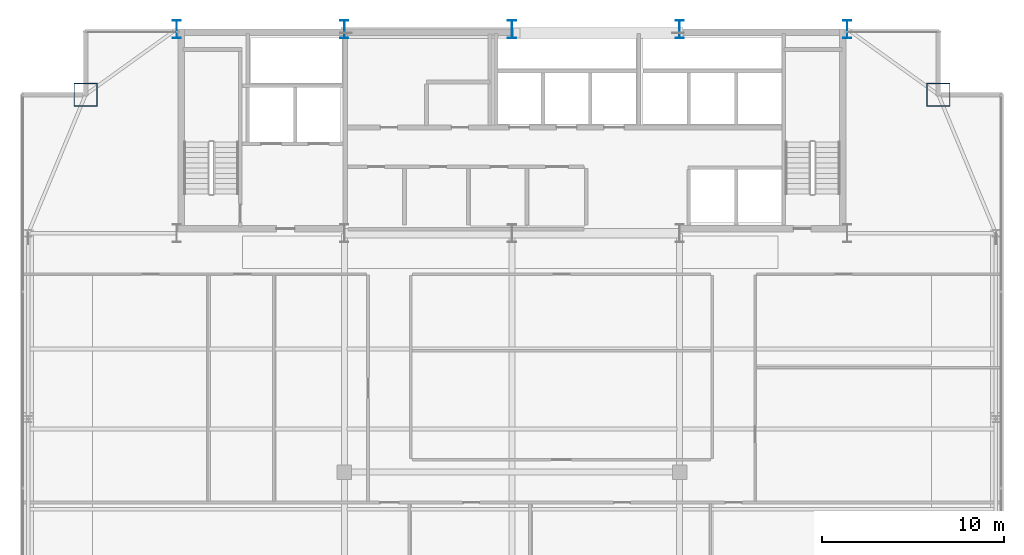
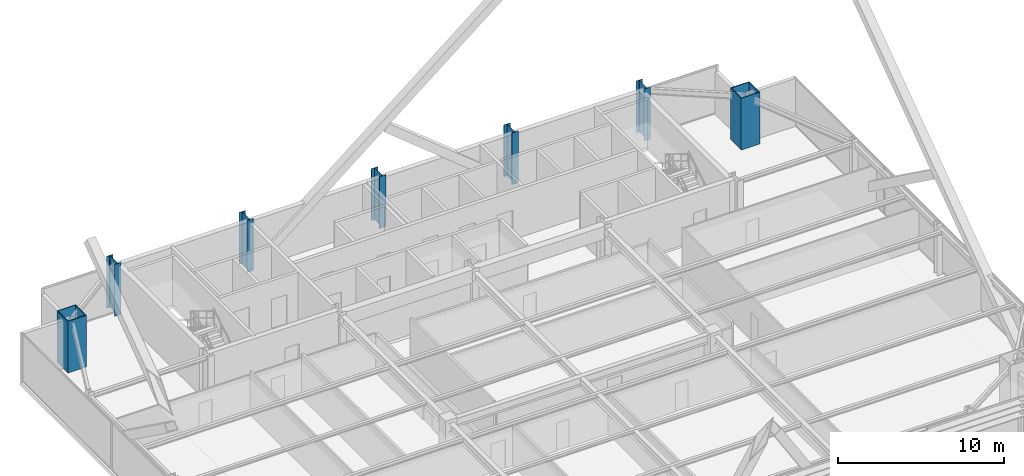
# One storey, part 3 of 34: 7 columns.
"""IFC4 building model written with IfcOpenShell, lengths in metres."""

from ifc_helpers import new_model, si_unit, direction, frame, origin, origin_2d, place, context, subcontext, project, spatial, hollow_rectangle, i_section, extrude, source, transform, mapped, material, material_profile, profile_set, type_object, type_shapes, element, save


model = new_model("IFC4")

# Units and contexts
model_context = context("Model", 3, precision=1e-05, world=origin(), true_north=direction((0.0, 1.0)))
body_context = subcontext(model_context, "Body", "Model", "MODEL_VIEW")
ifc_project = project(units=[si_unit("LENGTHUNIT", "METRE"), si_unit("AREAUNIT", "SQUARE_METRE"), si_unit("VOLUMEUNIT", "CUBIC_METRE"), si_unit("PLANEANGLEUNIT", "RADIAN"), si_unit("MASSUNIT", "GRAM", prefix="KILO")], contexts=[model_context])

# Site, building, storey
site_placement = place(None, origin())
site = spatial("IfcSite", under=ifc_project, at=site_placement, CompositionType="ELEMENT")
building_placement = place(site_placement, origin())
building = spatial("IfcBuilding", under=site, at=building_placement, Name="Varnel Quay Broadcast Tower", CompositionType="ELEMENT")
storey_placement = place(building_placement, frame((0.0, 0.0, 176.199951171875)))
storey = spatial("IfcBuildingStorey", under=building, at=storey_placement, Name="L43", CompositionType="ELEMENT", Elevation=176.199951171875)

# Columns
ifc_material = material(Name="Structural Steel CSA G40.21 350WT", Category="steel")
ifc_material_profile_1 = material_profile(ifc_material, i_section(OverallWidth=0.449951171875, OverallDepth=1.0, WebThickness=0.01611328125, FlangeThickness=0.030029296875, FilletRadius=0.01611328125, at=origin_2d()), Name="WWF1000X362")
ifc_profile_set_1 = profile_set([ifc_material_profile_1], Name="Structural Steel CSA G40.21 350WT")
column_type_1 = type_object("IfcColumnType", Name="Col_WWF1000X362", PredefinedType="COLUMN", material=ifc_profile_set_1)
shared_shape_1 = source(origin(), body_context, "Body", "SweptSolid", [
    extrude(i_section(OverallWidth=0.449951171875, OverallDepth=1.0, WebThickness=0.01611328125, FlangeThickness=0.030029296875, FilletRadius=0.01611328125, at=origin_2d()), origin(), (0.0, 0.0, 1.0), 3.800048828125),
])
type_shapes(column_type_1, [shared_shape_1])
for number, where, z_axis, x_axis, name in (
    (1, (15.60009765625, 46.800048828125, 0.0), (0.0, 0.0, 1.0), (1.0, 0.0, 0.0), "L43 Column CC-N1"),
    (2, (24.800048828125, 46.800048828125, 0.0), (0.0, 0.0, 1.0), (1.0, 0.0, 0.0), "L43 Column CC-N2"),
    (3, (34.0, 46.800048828125, 0.0), (0.0, 0.0, 1.0), (1.0, 0.0, 0.0), "L43 Column CC-N3"),
    (4, (43.199951171875, 46.800048828125, 0.0), (0.0, 0.0, 1.0), (1.0, 0.0, 0.0), "L43 Column CC-N4"),
    (5, (52.39990234375, 46.800048828125, 0.0), (0.0, 0.0, 1.0), (1.0, 0.0, 0.0), "L43 Column CC-N5"),
):
    element("IfcColumn", number, at=place(storey_placement, frame(where, z_axis=z_axis, x_axis=x_axis)), inside=storey, type_object=column_type_1, Name=name, PredefinedType="COLUMN", context=body_context, shape_type="MappedRepresentation", body=[
        mapped(shared_shape_1, transform((0.0, 0.0, 0.0), x_axis=(1.0, 0.0, 0.0), y_axis=(0.0, 1.0, 0.0), z_axis=(0.0, 0.0, 1.0), scale=1.0)),
    ])
ifc_material_profile_2 = material_profile(ifc_material, hollow_rectangle(XDim=1.300048828125, YDim=1.300048828125, WallThickness=0.050048828125, at=origin_2d()), Name="BOX1300X1300X50")
ifc_profile_set_2 = profile_set([ifc_material_profile_2], Name="Structural Steel CSA G40.21 350WT")
column_type_2 = type_object("IfcColumnType", Name="Col_BOX1300X1300X50", PredefinedType="COLUMN", material=ifc_profile_set_2)
shared_shape_2 = source(origin(), body_context, "Body", "SweptSolid", [
    extrude(hollow_rectangle(XDim=1.300048828125, YDim=1.300048828125, WallThickness=0.050048828125, at=origin_2d()), origin(), (0.0, 0.0, 1.0), 3.800048828125),
])
type_shapes(column_type_2, [shared_shape_2])
for number, where, z_axis, x_axis, name in (
    (6, (57.39990234375, 43.199951171875, 0.0), (0.0, 0.0, 1.0), (1.0, 0.0, 0.0), "L43 Column MC-NE"),
    (7, (10.60009765625, 43.199951171875, 0.0), (0.0, 0.0, 1.0), (1.0, 0.0, 0.0), "L43 Column MC-NW"),
):
    element("IfcColumn", number, at=place(storey_placement, frame(where, z_axis=z_axis, x_axis=x_axis)), inside=storey, type_object=column_type_2, Name=name, PredefinedType="COLUMN", context=body_context, shape_type="MappedRepresentation", body=[
        mapped(shared_shape_2, transform((0.0, 0.0, 0.0), x_axis=(1.0, 0.0, 0.0), y_axis=(0.0, 1.0, 0.0), z_axis=(0.0, 0.0, 1.0), scale=1.0)),
    ])

save(model, "model.ifc")
